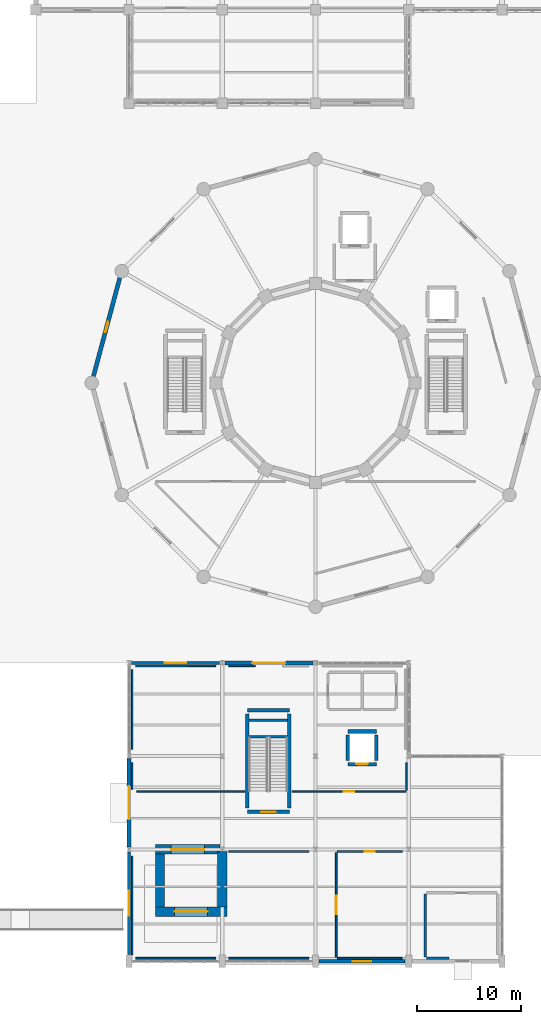
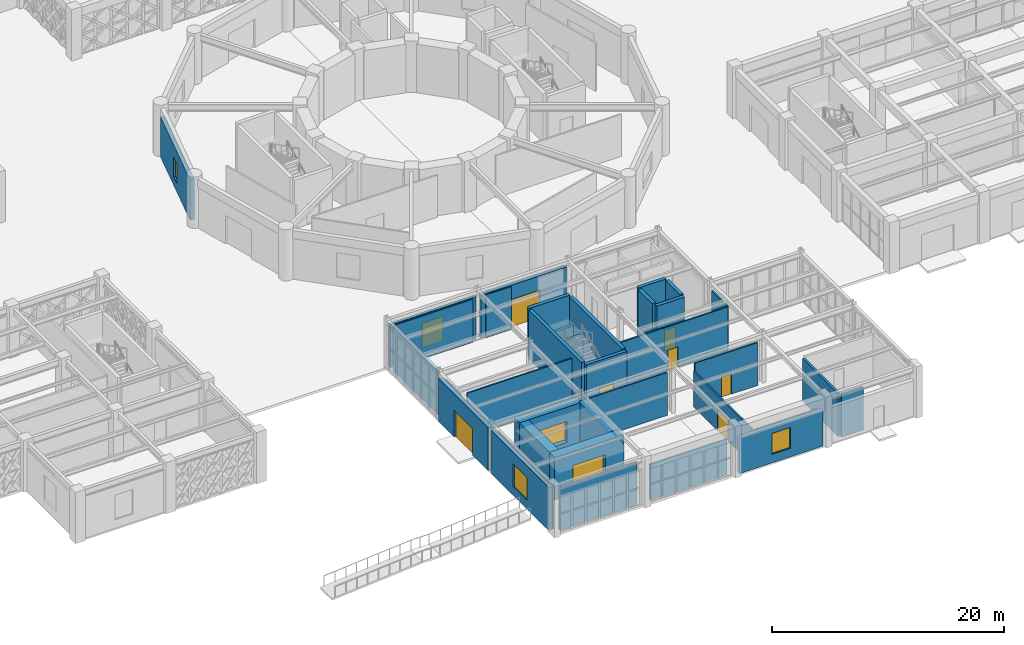
# One storey, part 115 of 140: 36 walls, 7 doors, 6 windows, 13 openings.
"""IFC4 building model written with IfcOpenShell, lengths in metres."""

from ifc_helpers import new_model, si_unit, direction, frame, frame_2d, origin, place, context, subcontext, project, spatial, rectangle, extrude, material, layer, layer_set, type_object, element, fill, save


model = new_model("IFC4")

# Units and contexts
model_context = context("Model", 3, precision=1e-05, world=origin(), true_north=direction((0.0, 1.0)))
body_context = subcontext(model_context, "Body", "Model", "MODEL_VIEW")
ifc_project = project(units=[si_unit("LENGTHUNIT", "METRE"), si_unit("AREAUNIT", "SQUARE_METRE"), si_unit("VOLUMEUNIT", "CUBIC_METRE"), si_unit("PLANEANGLEUNIT", "RADIAN"), si_unit("MASSUNIT", "GRAM", prefix="KILO")], contexts=[model_context])

# Site, building, storey
site_placement = place(None, origin())
site = spatial("IfcSite", under=ifc_project, at=site_placement, CompositionType="ELEMENT")
building_placement = place(site_placement, origin())
building = spatial("IfcBuilding", under=site, at=building_placement, Name="Haizhuo Lancet Aquarium", CompositionType="ELEMENT")
storey_placement = place(building_placement, origin())
storey = spatial("IfcBuildingStorey", under=building, at=storey_placement, Name="L00", CompositionType="ELEMENT", Elevation=0.0)

# Wall, opening, window
ifc_material_1 = material(Name="Shandong Grey Limestone Ashlar", Category="masonry")
ifc_layer_1 = layer(ifc_material_1, 0.280029296875)
ifc_layer_set_1 = layer_set([ifc_layer_1], Name="Shandong Grey Limestone Ashlar")
wall_type_1 = type_object("IfcWallType", Name="EWL-ASH-280", PredefinedType="SOLIDWALL", material=ifc_layer_set_1)
wall_1_placement = place(storey_placement, frame((-17.7548828125, -27.0, 0.0), z_axis=(0.0, 0.0, 1.0), x_axis=(1.0, 0.0, 0.0)))
wall_1 = element("IfcWall", 1, at=wall_1_placement, inside=storey, type_object=wall_type_1, Name="L00 V4 limestone facade wall 75", PredefinedType="SOLIDWALL", context=body_context, shape_type="SweptSolid", body=[
    extrude(rectangle(XDim=8.509765625, YDim=0.280029296875, at=frame_2d((4.2548828125, 0.0))), origin(), (0.0, 0.0, 1.0), 4.51708984375),
])
opening_1_placement = place(wall_1_placement, frame((3.205078125, 0.0, 0.89990234375)))
opening_1 = element("IfcOpeningElement", 2, at=opening_1_placement, cuts=wall_1, Name="Opening WN-07", PredefinedType="OPENING", context=body_context, shape_type="SweptSolid", body=[
    extrude(rectangle(XDim=2.10009765625, YDim=2.60009765625, at=frame_2d((1.050048828125, 1.300048828125))), frame((0.0, 0.14990234375, 0.0), z_axis=(0.0, -1.0, 0.0), x_axis=(1.0, 0.0, 0.0)), (0.0, 0.0, 1.0), 0.300029),
])
ifc_material_2 = material(Name="Laminated Low-E Glass", Category="glass")
window_type_1 = type_object("IfcWindowType", Name="WIN-LAN-2100x2600", PartitioningType="SINGLE_PANEL", PredefinedType="WINDOW", material=ifc_material_2)
window_1_placement = place(opening_1_placement, origin())
window_1 = element("IfcWindow", 3, at=window_1_placement, inside=storey, type_object=window_type_1, Name="L00 V4 lancet window 59", OverallHeight=2.60009765625, OverallWidth=2.10009765625, PartitioningType="SINGLE_PANEL", PredefinedType="WINDOW", context=body_context, shape_type="SweptSolid", body=[
    extrude(rectangle(XDim=2.10009765625, YDim=2.60009765625, at=frame_2d((1.050048828125, 1.300048828125))), frame((0.0, 0.030029296875, 0.0), z_axis=(0.0, -1.0, 0.0), x_axis=(1.0, 0.0, 0.0)), (0.0, 0.0, 1.0), 0.06005859375),
])
fill(opening_1, window_1)

ifc_layer_2 = layer(ifc_material_1, 0.320068359375)
ifc_layer_set_2 = layer_set([ifc_layer_2], Name="Shandong Grey Limestone Ashlar")
wall_type_2 = type_object("IfcWallType", Name="EWL-ASH-320", PredefinedType="SOLIDWALL", material=ifc_layer_set_2)
wall_2_placement = place(storey_placement, frame((-18.0, -55.155029296875, 0.0), z_axis=(0.0, 0.0, 1.0), x_axis=(0.0, 1.0, 0.0)))
wall_2 = element("IfcWall", 4, at=wall_2_placement, inside=storey, type_object=wall_type_2, Name="L00 V4 limestone facade wall 79", PredefinedType="SOLIDWALL", context=body_context, shape_type="SweptSolid", body=[
    extrude(rectangle(XDim=9.909912109375, YDim=0.320068359375, at=frame_2d((4.955078125, 0.0))), origin(), (0.0, 0.0, 1.0), 4.51708984375),
])
opening_2_placement = place(wall_2_placement, frame((3.7548828125, 0.0, 0.89990234375)))
opening_2 = element("IfcOpeningElement", 5, at=opening_2_placement, cuts=wall_2, Name="Opening WN-08", PredefinedType="OPENING", context=body_context, shape_type="SweptSolid", body=[
    extrude(rectangle(XDim=2.39990234375, YDim=2.39990234375, at=frame_2d((1.199951171875, 1.199951171875))), frame((0.0, 0.169921875, 0.0), z_axis=(0.0, -1.0, 0.0), x_axis=(1.0, 0.0, 0.0)), (0.0, 0.0, 1.0), 0.340068),
])
window_type_2 = type_object("IfcWindowType", Name="WIN-LAN-2400x2400", PartitioningType="SINGLE_PANEL", PredefinedType="WINDOW", material=ifc_material_2)
window_2_placement = place(opening_2_placement, origin())
window_2 = element("IfcWindow", 6, at=window_2_placement, inside=storey, type_object=window_type_2, Name="L00 V4 lancet window 61", OverallHeight=2.39990234375, OverallWidth=2.39990234375, PartitioningType="SINGLE_PANEL", PredefinedType="WINDOW", context=body_context, shape_type="SweptSolid", body=[
    extrude(rectangle(XDim=2.39990234375, YDim=2.39990234375, at=frame_2d((1.199951171875, 1.199951171875))), frame((0.0, 0.030029296875, 0.0), z_axis=(0.0, -1.0, 0.0), x_axis=(1.0, 0.0, 0.0)), (0.0, 0.0, 1.0), 0.06005859375),
])
fill(opening_2, window_2)

ifc_layer_3 = layer(ifc_material_1, 0.360107421875)
ifc_layer_set_3 = layer_set([ifc_layer_3], Name="Shandong Grey Limestone Ashlar")
wall_type_3 = type_object("IfcWallType", Name="EWL-ASH-360", PredefinedType="SOLIDWALL", material=ifc_layer_set_3)
wall_3_placement = place(storey_placement, frame((8.655029296875, -55.800048828125, 0.0), z_axis=(0.0, 0.0, 1.0), x_axis=(-1.0, 0.0, 0.0)))
wall_3 = element("IfcWall", 7, at=wall_3_placement, inside=storey, type_object=wall_type_3, Name="L00 V4 limestone facade wall 78", PredefinedType="SOLIDWALL", context=body_context, shape_type="SweptSolid", body=[
    extrude(rectangle(XDim=8.31005859375, YDim=0.360107421875, at=frame_2d((4.155029296875, 0.0))), origin(), (0.0, 0.0, 1.0), 3.7548828125),
])
opening_3_placement = place(wall_3_placement, frame((3.2548828125, 0.0, 0.89990234375)))
opening_3 = element("IfcOpeningElement", 8, at=opening_3_placement, cuts=wall_3, Name="Opening WN-06", PredefinedType="OPENING", context=body_context, shape_type="SweptSolid", body=[
    extrude(rectangle(XDim=1.800048828125, YDim=2.199951171875, at=frame_2d((0.89990234375, 1.10009765625))), frame((0.0, 0.18994140625, 0.0), z_axis=(0.0, -1.0, 0.0), x_axis=(1.0, 0.0, 0.0)), (0.0, 0.0, 1.0), 0.380107),
])
window_type_3 = type_object("IfcWindowType", Name="WIN-LAN-1800x2200", PartitioningType="SINGLE_PANEL", PredefinedType="WINDOW", material=ifc_material_2)
window_3_placement = place(opening_3_placement, origin())
window_3 = element("IfcWindow", 9, at=window_3_placement, inside=storey, type_object=window_type_3, Name="L00 V4 lancet window 60", OverallHeight=2.199951171875, OverallWidth=1.800048828125, PartitioningType="SINGLE_PANEL", PredefinedType="WINDOW", context=body_context, shape_type="SweptSolid", body=[
    extrude(rectangle(XDim=1.800048828125, YDim=2.199951171875, at=frame_2d((0.89990234375, 1.10009765625))), frame((0.0, 0.030029296875, 0.0), z_axis=(0.0, -1.0, 0.0), x_axis=(1.0, 0.0, 0.0)), (0.0, 0.0, 1.0), 0.06005859375),
])
fill(opening_3, window_3)

ifc_layer_4 = layer(ifc_material_1, 0.39990234375)
ifc_layer_set_4 = layer_set([ifc_layer_4], Name="Shandong Grey Limestone Ashlar")
wall_type_4 = type_object("IfcWallType", Name="EWL-ASH-400", PredefinedType="SOLIDWALL", material=ifc_layer_set_4)
wall_4_placement = place(storey_placement, frame((-21.419921875, 0.6708984375, 0.0), z_axis=(0.0, 0.0, 1.0), x_axis=(0.258787599316, 0.965934251614, 0.0)))
wall_4 = element("IfcWall", 10, at=wall_4_placement, inside=storey, type_object=wall_type_4, Name="L00 V1 limestone drum wall bay 6", PredefinedType="SOLIDWALL", context=body_context, shape_type="SweptSolid", body=[
    extrude(rectangle(XDim=9.79150390625, YDim=0.39990234375, at=frame_2d((4.895751953125, 0.0))), origin(), (0.0, 0.0, 1.0), 4.2548828125),
])
opening_4_placement = place(wall_4_placement, frame((4.37109375, 0.0, 0.89990234375)))
opening_4 = element("IfcOpeningElement", 11, at=opening_4_placement, cuts=wall_4, Name="Opening WN-12", PredefinedType="OPENING", context=body_context, shape_type="SweptSolid", body=[
    extrude(rectangle(XDim=1.050048828125, YDim=2.0, at=frame_2d((0.52490234375, 1.0))), frame((0.0, 0.2099609375, 0.0), z_axis=(0.0, -1.0, 0.0), x_axis=(1.0, 0.0, 0.0)), (0.0, 0.0, 1.0), 0.419902),
])
window_type_4 = type_object("IfcWindowType", Name="WIN-LAN-1050x2000", PartitioningType="SINGLE_PANEL", PredefinedType="WINDOW", material=ifc_material_2)
window_4_placement = place(opening_4_placement, origin())
window_4 = element("IfcWindow", 12, at=window_4_placement, inside=storey, type_object=window_type_4, Name="L00 Gothic lancet window 4", OverallHeight=2.0, OverallWidth=1.050048828125, PartitioningType="SINGLE_PANEL", PredefinedType="WINDOW", context=body_context, shape_type="SweptSolid", body=[
    extrude(rectangle(XDim=1.050048828125, YDim=2.0, at=frame_2d((0.52490234375, 1.0))), frame((0.0, 0.030029296875, 0.0), z_axis=(0.0, -1.0, 0.0), x_axis=(1.0, 0.0, 0.0)), (0.0, 0.0, 1.0), 0.06005859375),
])
fill(opening_4, window_4)

# Wall, opening, door
wall_5_placement = place(storey_placement, frame((-8.7548828125, -27.0, 0.0), z_axis=(0.0, 0.0, 1.0), x_axis=(1.0, 0.0, 0.0)))
wall_5 = element("IfcWall", 13, at=wall_5_placement, inside=storey, type_object=wall_type_4, Name="L00 V4 pointed-arch limestone entrance portal wall", PredefinedType="SOLIDWALL", context=body_context, shape_type="SweptSolid", body=[
    extrude(rectangle(XDim=8.509765625, YDim=0.39990234375, at=frame_2d((4.2548828125, 0.0))), origin(), (0.0, 0.0, 1.0), 4.51708984375),
])
opening_5_placement = place(wall_5_placement, frame((2.655029296875, 0.0, 0.0)))
opening_5 = element("IfcOpeningElement", 14, at=opening_5_placement, cuts=wall_5, Name="Opening ED-A", PredefinedType="OPENING", context=body_context, shape_type="SweptSolid", body=[
    extrude(rectangle(XDim=3.199951171875, YDim=3.0, at=frame_2d((1.60009765625, 1.5))), frame((0.0, 0.2099609375, 0.0), z_axis=(0.0, -1.0, 0.0), x_axis=(1.0, 0.0, 0.0)), (0.0, 0.0, 1.0), 0.419902),
])
ifc_material_3 = material(Name="Aluminium 6063-T6", Category="aluminium")
door_type_1 = type_object("IfcDoorType", Name="EDR-PORTAL-3200x3000", OperationType="NOTDEFINED", PredefinedType="DOOR", material=ifc_material_3)
door_1_placement = place(opening_5_placement, origin())
door_1 = element("IfcDoor", 15, at=door_1_placement, inside=storey, type_object=door_type_1, Name="Ground pedestrian entrance portal ED-15", OperationType="DOUBLE_DOOR_SINGLE_SWING", OverallHeight=3.0, OverallWidth=3.199951171875, PredefinedType="DOOR", context=body_context, shape_type="SweptSolid", body=[
    extrude(rectangle(XDim=3.199951171875, YDim=3.0, at=frame_2d((1.60009765625, 1.5))), frame((0.0, 0.02490234375, 0.0), z_axis=(0.0, -1.0, 0.0), x_axis=(1.0, 0.0, 0.0)), (0.0, 0.0, 1.0), 0.050048828125),
])
fill(opening_5, door_1)

wall_6_placement = place(storey_placement, frame((-18.0, -44.7548828125, 0.0), z_axis=(0.0, 0.0, 1.0), x_axis=(0.0, 1.0, 0.0)))
wall_6 = element("IfcWall", 16, at=wall_6_placement, inside=storey, type_object=wall_type_4, Name="L00 V4 pointed-arch limestone entrance portal wall", PredefinedType="SOLIDWALL", context=body_context, shape_type="SweptSolid", body=[
    extrude(rectangle(XDim=8.509765625, YDim=0.39990234375, at=frame_2d((4.2548828125, 0.0))), origin(), (0.0, 0.0, 1.0), 4.51708984375),
])
opening_6_placement = place(wall_6_placement, frame((2.655029296875, 0.0, 0.0)))
opening_6 = element("IfcOpeningElement", 17, at=opening_6_placement, cuts=wall_6, Name="Opening ED-B", PredefinedType="OPENING", context=body_context, shape_type="SweptSolid", body=[
    extrude(rectangle(XDim=3.199951171875, YDim=2.800048828125, at=frame_2d((1.60009765625, 1.39990234375))), frame((0.0, 0.2099609375, 0.0), z_axis=(0.0, -1.0, 0.0), x_axis=(1.0, 0.0, 0.0)), (0.0, 0.0, 1.0), 0.419902),
])
door_type_2 = type_object("IfcDoorType", Name="EDR-PORTAL-3200x2800", OperationType="NOTDEFINED", PredefinedType="DOOR", material=ifc_material_3)
door_2_placement = place(opening_6_placement, origin())
door_2 = element("IfcDoor", 18, at=door_2_placement, inside=storey, type_object=door_type_2, Name="Ground pedestrian entrance portal ED-16", OperationType="DOUBLE_DOOR_SINGLE_SWING", OverallHeight=2.800048828125, OverallWidth=3.199951171875, PredefinedType="DOOR", context=body_context, shape_type="SweptSolid", body=[
    extrude(rectangle(XDim=3.199951171875, YDim=2.800048828125, at=frame_2d((1.60009765625, 1.39990234375))), frame((0.0, 0.02490234375, 0.0), z_axis=(0.0, -1.0, 0.0), x_axis=(1.0, 0.0, 0.0)), (0.0, 0.0, 1.0), 0.050048828125),
])
fill(opening_6, door_2)

# Walls
ifc_material_4 = material(Name="Concrete C40/50", Category="concrete")
ifc_layer_5 = layer(ifc_material_4, 0.239990234375)
ifc_layer_set_5 = layer_set([ifc_layer_5], Name="Concrete C40/50")
wall_type_5 = type_object("IfcWallType", Name="IWL-FIRE-240", PredefinedType="PARTITIONING", material=ifc_layer_set_5)
wall_7_placement = place(storey_placement, frame((10.60009765625, -49.300048828125, 0.0), z_axis=(0.0, 0.0, 1.0), x_axis=(0.0, -1.0, 0.0)))
element("IfcWall", 19, at=wall_7_placement, inside=storey, type_object=wall_type_5, Name="L00 partition wall 141", PredefinedType="PARTITIONING", context=body_context, shape_type="SweptSolid", body=[
    extrude(rectangle(XDim=6.099853515625, YDim=0.239990234375, at=frame_2d((3.0498046875, 0.0))), origin(), (0.0, 0.0, 1.0), 4.51708984375),
])
wall_8_placement = place(storey_placement, frame((10.699951171875, -55.5, 0.0), z_axis=(0.0, 0.0, 1.0), x_axis=(1.0, 0.0, 0.0)))
element("IfcWall", 20, at=wall_8_placement, inside=storey, type_object=wall_type_5, Name="L00 partition wall 142", PredefinedType="PARTITIONING", context=body_context, shape_type="SweptSolid", body=[
    extrude(rectangle(XDim=2.18505859375, YDim=0.239990234375, at=frame_2d((1.092529296875, 0.0))), origin(), (0.0, 0.0, 1.0), 4.51708984375),
])
ifc_material_5 = material(Name="Gypsum Fireboard Partition")
ifc_layer_6 = layer(ifc_material_5, 0.14990234375)
ifc_layer_set_6 = layer_set([ifc_layer_6], Name="Gypsum Fireboard Partition")
wall_type_6 = type_object("IfcWallType", Name="IWL-STD-150", PredefinedType="PARTITIONING", material=ifc_layer_set_6)
wall_9_placement = place(storey_placement, frame((-17.35009765625, -55.5, 0.0), z_axis=(0.0, 0.0, 1.0), x_axis=(1.0, 0.0, 0.0)))
element("IfcWall", 21, at=wall_9_placement, inside=storey, type_object=wall_type_6, Name="L00 partition wall 134", PredefinedType="PARTITIONING", context=body_context, shape_type="SweptSolid", body=[
    extrude(rectangle(XDim=7.7001953125, YDim=0.14990234375, at=frame_2d((3.85009765625, 0.0))), origin(), (0.0, 0.0, 1.0), 4.51708984375),
])
wall_10_placement = place(storey_placement, frame((-8.35009765625, -55.5, 0.0), z_axis=(0.0, 0.0, 1.0), x_axis=(1.0, 0.0, 0.0)))
element("IfcWall", 22, at=wall_10_placement, inside=storey, type_object=wall_type_6, Name="L00 partition wall 135", PredefinedType="PARTITIONING", context=body_context, shape_type="SweptSolid", body=[
    extrude(rectangle(XDim=7.7001953125, YDim=0.14990234375, at=frame_2d((3.85009765625, 0.0))), origin(), (0.0, 0.0, 1.0), 3.7548828125),
])

# Wall, opening, door
wall_11_placement = place(storey_placement, frame((2.0, -55.39990234375, 0.0), z_axis=(0.0, 0.0, 1.0), x_axis=(0.0, 1.0, 0.0)))
wall_11 = element("IfcWall", 23, at=wall_11_placement, inside=storey, type_object=wall_type_6, Name="L00 partition wall 136", PredefinedType="PARTITIONING", context=body_context, shape_type="SweptSolid", body=[
    extrude(rectangle(XDim=10.099853515625, YDim=0.14990234375, at=frame_2d((5.0498046875, 0.0))), origin(), (0.0, 0.0, 1.0), 3.7548828125),
])
opening_7_placement = place(wall_11_placement, frame((4.14990234375, 0.0, 0.0)))
opening_7 = element("IfcOpeningElement", 24, at=opening_7_placement, cuts=wall_11, Name="Opening D-02", PredefinedType="OPENING", context=body_context, shape_type="SweptSolid", body=[
    extrude(rectangle(XDim=1.800048828125, YDim=2.300048828125, at=frame_2d((0.89990234375, 1.14990234375))), frame((0.0, 0.0849609375, 0.0), z_axis=(0.0, -1.0, 0.0), x_axis=(1.0, 0.0, 0.0)), (0.0, 0.0, 1.0), 0.169902),
])
door_type_3 = type_object("IfcDoorType", Name="IDR-GAL-1800x2300", OperationType="NOTDEFINED", PredefinedType="DOOR", material=ifc_material_3)
door_3_placement = place(opening_7_placement, origin())
door_3 = element("IfcDoor", 25, at=door_3_placement, inside=storey, type_object=door_type_3, Name="L00 Estuarine Tank Exhibit Gallery door", OperationType="DOUBLE_DOOR_SINGLE_SWING", OverallHeight=2.300048828125, OverallWidth=1.800048828125, PredefinedType="DOOR", context=body_context, shape_type="SweptSolid", body=[
    extrude(rectangle(XDim=1.800048828125, YDim=2.300048828125, at=frame_2d((0.89990234375, 1.14990234375))), frame((0.0, 0.02490234375, 0.0), z_axis=(0.0, -1.0, 0.0), x_axis=(1.0, 0.0, 0.0)), (0.0, 0.0, 1.0), 0.050048828125),
])
fill(opening_7, door_3)

# Walls
wall_12_placement = place(storey_placement, frame((-0.64990234375, -45.199951171875, 0.0), z_axis=(0.0, 0.0, 1.0), x_axis=(-1.0, 0.0, 0.0)))
element("IfcWall", 26, at=wall_12_placement, inside=storey, type_object=wall_type_6, Name="L00 partition wall 137", PredefinedType="PARTITIONING", context=body_context, shape_type="SweptSolid", body=[
    extrude(rectangle(XDim=7.7001953125, YDim=0.14990234375, at=frame_2d((3.85009765625, 0.0))), origin(), (0.0, 0.0, 1.0), 4.51708984375),
])
wall_13_placement = place(storey_placement, frame((-17.699951171875, -45.64990234375, 0.0), z_axis=(0.0, 0.0, 1.0), x_axis=(0.0, -1.0, 0.0)))
element("IfcWall", 27, at=wall_13_placement, inside=storey, type_object=wall_type_6, Name="L00 partition wall 138", PredefinedType="PARTITIONING", context=body_context, shape_type="SweptSolid", body=[
    extrude(rectangle(XDim=9.5, YDim=0.14990234375, at=frame_2d((4.75, 0.0))), origin(), (0.0, 0.0, 1.0), 4.616943359375),
])
wall_14_placement = place(storey_placement, frame((-17.699951171875, -36.639892578125, 0.0), z_axis=(0.0, 0.0, 1.0), x_axis=(0.0, -1.0, 0.0)))
element("IfcWall", 28, at=wall_14_placement, inside=storey, type_object=wall_type_6, Name="L00 partition wall 143", PredefinedType="PARTITIONING", context=body_context, shape_type="SweptSolid", body=[
    extrude(rectangle(XDim=2.545166015625, YDim=0.14990234375, at=frame_2d((1.2724609375, 0.0))), origin(), (0.0, 0.0, 1.0), 4.60498046875),
])
wall_15_placement = place(storey_placement, frame((-17.22509765625, -39.39599609375, 0.0), z_axis=(0.0, 0.0, 1.0), x_axis=(1.0, 0.0, 0.0)))
element("IfcWall", 29, at=wall_15_placement, inside=storey, type_object=wall_type_6, Name="L00 partition wall 144", PredefinedType="PARTITIONING", context=body_context, shape_type="SweptSolid", body=[
    extrude(rectangle(XDim=10.404052734375, YDim=0.14990234375, at=frame_2d((5.2021484375, 0.0))), origin(), (0.0, 0.0, 1.0), 4.60498046875),
])

# Wall, opening, door
wall_16_placement = place(storey_placement, frame((-2.25, -39.39990234375, 0.0), z_axis=(0.0, 0.0, 1.0), x_axis=(0.999999936706, 0.000355792728, 0.0)))
wall_16 = element("IfcWall", 30, at=wall_16_placement, inside=storey, type_object=wall_type_6, Name="L00 partition wall 145", PredefinedType="PARTITIONING", context=body_context, shape_type="SweptSolid", body=[
    extrude(rectangle(XDim=10.97900390625, YDim=0.14990234375, at=frame_2d((5.489501953125, 0.0))), origin(), (0.0, 0.0, 1.0), 4.60498046875),
])
opening_8_placement = place(wall_16_placement, frame((4.989990234375, 0.0, 0.0)))
opening_8 = element("IfcOpeningElement", 31, at=opening_8_placement, cuts=wall_16, Name="Opening D-06", PredefinedType="OPENING", context=body_context, shape_type="SweptSolid", body=[
    extrude(rectangle(XDim=1.0, YDim=2.14990234375, at=frame_2d((0.5, 1.074951171875))), frame((0.0, 0.0849609375, 0.0), z_axis=(0.0, -1.0, 0.0), x_axis=(1.0, 0.0, 0.0)), (0.0, 0.0, 1.0), 0.169902),
])
door_type_4 = type_object("IfcDoorType", Name="IDR-OFF-1000x2150", OperationType="NOTDEFINED", PredefinedType="DOOR", material=ifc_material_3)
door_4_placement = place(opening_8_placement, origin())
door_4 = element("IfcDoor", 32, at=door_4_placement, inside=storey, type_object=door_type_4, Name="L00 Harbour Cafe door", OperationType="SINGLE_SWING_RIGHT", OverallHeight=2.14990234375, OverallWidth=1.0, PredefinedType="DOOR", context=body_context, shape_type="SweptSolid", body=[
    extrude(rectangle(XDim=1.0, YDim=2.14990234375, at=frame_2d((0.5, 1.074951171875))), frame((0.0, 0.02490234375, 0.0), z_axis=(0.0, -1.0, 0.0), x_axis=(1.0, 0.0, 0.0)), (0.0, 0.0, 1.0), 0.050048828125),
])
fill(opening_8, door_4)

# Walls
wall_17_placement = place(storey_placement, frame((8.800048828125, -39.300048828125, 0.0), z_axis=(0.0, 0.0, 1.0), x_axis=(0.0, 1.0, 0.0)))
element("IfcWall", 33, at=wall_17_placement, inside=storey, type_object=wall_type_6, Name="L00 partition wall 146", PredefinedType="PARTITIONING", context=body_context, shape_type="SweptSolid", body=[
    extrude(rectangle(XDim=2.66015625, YDim=0.14990234375, at=frame_2d((1.330078125, 0.0))), origin(), (0.0, 0.0, 1.0), 4.60498046875),
])
wall_18_placement = place(storey_placement, frame((-5.81494140625, -27.300048828125, 0.0), z_axis=(0.0, 0.0, 1.0), x_axis=(-1.0, 0.0, 0.0)))
element("IfcWall", 34, at=wall_18_placement, inside=storey, type_object=wall_type_6, Name="L00 partition wall 150", PredefinedType="PARTITIONING", context=body_context, shape_type="SweptSolid", body=[
    extrude(rectangle(XDim=2.53515625, YDim=0.14990234375, at=frame_2d((1.267578125, 0.0))), origin(), (0.0, 0.0, 1.0), 4.51708984375),
])
wall_19_placement = place(storey_placement, frame((-9.64990234375, -27.300048828125, 0.0), z_axis=(0.0, 0.0, 1.0), x_axis=(-0.999999871661, -0.00050663367, 0.0)))
element("IfcWall", 35, at=wall_19_placement, inside=storey, type_object=wall_type_6, Name="L00 partition wall 151", PredefinedType="PARTITIONING", context=body_context, shape_type="SweptSolid", body=[
    extrude(rectangle(XDim=7.710205078125, YDim=0.14990234375, at=frame_2d((3.85498046875, 0.0))), origin(), (0.0, 0.0, 1.0), 4.51708984375),
])
wall_20_placement = place(storey_placement, frame((-17.699951171875, -27.64990234375, 0.0), z_axis=(0.0, 0.0, 1.0), x_axis=(0.0, -1.0, 0.0)))
element("IfcWall", 36, at=wall_20_placement, inside=storey, type_object=wall_type_6, Name="L00 partition wall 152", PredefinedType="PARTITIONING", context=body_context, shape_type="SweptSolid", body=[
    extrude(rectangle(XDim=7.7001953125, YDim=0.14990234375, at=frame_2d((3.85009765625, 0.0))), origin(), (0.0, 0.0, 1.0), 4.616943359375),
])

# Wall, opening, door
wall_21_placement = place(storey_placement, frame((8.360107421875, -45.199951171875, 0.0), z_axis=(0.0, 0.0, 1.0), x_axis=(-1.0, 0.0, 0.0)))
wall_21 = element("IfcWall", 37, at=wall_21_placement, inside=storey, type_object=wall_type_6, Name="L00 partition wall 153", PredefinedType="PARTITIONING", context=body_context, shape_type="SweptSolid", body=[
    extrude(rectangle(XDim=6.260009765625, YDim=0.14990234375, at=frame_2d((3.1298828125, 0.0))), origin(), (0.0, 0.0, 1.0), 4.51708984375),
])
opening_9_placement = place(wall_21_placement, frame((2.6298828125, 0.0, 0.0)))
opening_9 = element("IfcOpeningElement", 38, at=opening_9_placement, cuts=wall_21, Name="Opening D-06", PredefinedType="OPENING", context=body_context, shape_type="SweptSolid", body=[
    extrude(rectangle(XDim=1.0, YDim=2.14990234375, at=frame_2d((0.5, 1.074951171875))), frame((0.0, 0.0849609375, 0.0), z_axis=(0.0, -1.0, 0.0), x_axis=(1.0, 0.0, 0.0)), (0.0, 0.0, 1.0), 0.169902),
])
door_5_placement = place(opening_9_placement, origin())
door_5 = element("IfcDoor", 39, at=door_5_placement, inside=storey, type_object=door_type_4, Name="L00 Aquarium Shop door", OperationType="SINGLE_SWING_LEFT", OverallHeight=2.14990234375, OverallWidth=1.0, PredefinedType="DOOR", context=body_context, shape_type="SweptSolid", body=[
    extrude(rectangle(XDim=1.0, YDim=2.14990234375, at=frame_2d((0.5, 1.074951171875))), frame((0.0, 0.02490234375, 0.0), z_axis=(0.0, -1.0, 0.0), x_axis=(1.0, 0.0, 0.0)), (0.0, 0.0, 1.0), 0.050048828125),
])
fill(opening_9, door_5)

# Walls
wall_22_placement = place(storey_placement, frame((2.10009765625, -55.5, 0.0), z_axis=(0.0, 0.0, 1.0), x_axis=(1.0, 0.0, 0.0)))
element("IfcWall", 40, at=wall_22_placement, inside=storey, type_object=wall_type_6, Name="L00 partition wall 154", PredefinedType="PARTITIONING", context=body_context, shape_type="SweptSolid", body=[
    extrude(rectangle(XDim=6.25, YDim=0.14990234375, at=frame_2d((3.125, 0.0))), origin(), (0.0, 0.0, 1.0), 3.7548828125),
])
ifc_layer_7 = layer(ifc_material_4, 0.35009765625)
ifc_layer_set_7 = layer_set([ifc_layer_7], Name="Concrete C40/50")
wall_type_7 = type_object("IfcWallType", Name="WL-CORE-350", PredefinedType="SHEAR", material=ifc_layer_set_7)
for number, where, z_axis, x_axis, name in (
    (41, (-6.39990234375, -34.125, 0.0), (0.0, 0.0, 1.0), (1.0, 0.0, 0.0), "L00 ST-06 landing support wall"),
    (42, (-6.39990234375, -32.52490234375, 0.0), (0.0, 0.0, 1.0), (1.0, 0.0, 0.0), "L00 ST-06 far landing support wall"),
):
    element("IfcWall", number, at=place(storey_placement, frame(where, z_axis=z_axis, x_axis=x_axis)), inside=storey, type_object=wall_type_7, Name=name, PredefinedType="SHEAR", context=body_context, shape_type="SweptSolid", body=[
        extrude(rectangle(XDim=3.699951171875, YDim=0.25, at=frame_2d((1.85009765625, 0.0))), origin(), (0.0, 0.0, 1.0), 2.5),
    ])

# Wall, opening, door
wall_23_placement = place(storey_placement, frame((-2.52490234375, -41.375, 0.0), z_axis=(0.0, 0.0, 1.0), x_axis=(-1.0, 0.0, 0.0)))
wall_23 = element("IfcWall", 43, at=wall_23_placement, inside=storey, type_object=wall_type_7, Name="L00 ST-06 core shear wall S", PredefinedType="SHEAR", context=body_context, shape_type="SweptSolid", body=[
    extrude(rectangle(XDim=4.050048828125, YDim=0.35009765625, at=frame_2d((2.02490234375, 0.0))), origin(), (0.0, 0.0, 1.0), 5.1201171875),
])
opening_10_placement = place(wall_23_placement, frame((1.324951171875, 0.0, 0.0)))
opening_10 = element("IfcOpeningElement", 44, at=opening_10_placement, cuts=wall_23, Name="Opening FD-01", PredefinedType="OPENING", context=body_context, shape_type="SweptSolid", body=[
    extrude(rectangle(XDim=1.39990234375, YDim=2.199951171875, at=frame_2d((0.699951171875, 1.10009765625))), frame((0.0, 0.18505859375, 0.0), z_axis=(0.0, -1.0, 0.0), x_axis=(1.0, 0.0, 0.0)), (0.0, 0.0, 1.0), 0.370098),
])
ifc_material_6 = material(Name="Steel S355", Category="steel")
door_type_5 = type_object("IfcDoorType", Name="IDR-STAIR-1400x2200", OperationType="NOTDEFINED", PredefinedType="DOOR", material=ifc_material_6)
door_6_placement = place(opening_10_placement, origin())
door_6 = element("IfcDoor", 45, at=door_6_placement, inside=storey, type_object=door_type_5, Name="L00 ST-06 stairwell fire door", OperationType="SINGLE_SWING_LEFT", OverallHeight=2.199951171875, OverallWidth=1.39990234375, PredefinedType="DOOR", context=body_context, shape_type="SweptSolid", body=[
    extrude(rectangle(XDim=1.39990234375, YDim=2.199951171875, at=frame_2d((0.699951171875, 1.10009765625))), frame((0.0, 0.02490234375, 0.0), z_axis=(0.0, -1.0, 0.0), x_axis=(1.0, 0.0, 0.0)), (0.0, 0.0, 1.0), 0.050048828125),
])
fill(opening_10, door_6)

# Walls
wall_24_placement = place(storey_placement, frame((-6.574951171875, -31.574951171875, 0.0), z_axis=(0.0, 0.0, 1.0), x_axis=(1.0, 0.0, 0.0)))
element("IfcWall", 46, at=wall_24_placement, inside=storey, type_object=wall_type_7, Name="L00 ST-06 core shear wall N", PredefinedType="SHEAR", context=body_context, shape_type="SweptSolid", body=[
    extrude(rectangle(XDim=4.050048828125, YDim=0.35009765625, at=frame_2d((2.02490234375, 0.0))), origin(), (0.0, 0.0, 1.0), 5.1201171875),
])
for number, where, z_axis, x_axis, name in (
    (47, (-6.574951171875, -41.02490234375, 0.0), (0.0, 0.0, 1.0), (0.0, 1.0, 0.0), "L00 ST-06 core shear wall W"),
    (48, (-2.52490234375, -41.02490234375, 0.0), (0.0, 0.0, 1.0), (0.0, 1.0, 0.0), "L00 ST-06 core shear wall E"),
):
    element("IfcWall", number, at=place(storey_placement, frame(where, z_axis=z_axis, x_axis=x_axis)), inside=storey, type_object=wall_type_7, Name=name, PredefinedType="SHEAR", context=body_context, shape_type="SweptSolid", body=[
        extrude(rectangle(XDim=9.099853515625, YDim=0.35009765625, at=frame_2d((4.5498046875, 0.0))), origin(), (0.0, 0.0, 1.0), 5.1201171875),
    ])

# Wall, opening, door
wall_25_placement = place(storey_placement, frame((3.125, -36.77490234375, 0.0), z_axis=(0.0, 0.0, 1.0), x_axis=(1.0, 0.0, 0.0)))
wall_25 = element("IfcWall", 49, at=wall_25_placement, inside=storey, type_object=wall_type_7, Name="L00 LP-03 lift shaft wall -Y", PredefinedType="SHEAR", context=body_context, shape_type="SweptSolid", body=[
    extrude(rectangle(XDim=2.75, YDim=0.35009765625, at=frame_2d((1.375, 0.0))), origin(), (0.0, 0.0, 1.0), 5.1201171875),
])
opening_11_placement = place(wall_25_placement, frame((0.824951171875, 0.0, 0.0)))
opening_11 = element("IfcOpeningElement", 50, at=opening_11_placement, cuts=wall_25, Name="Opening LD-01", PredefinedType="OPENING", context=body_context, shape_type="SweptSolid", body=[
    extrude(rectangle(XDim=1.10009765625, YDim=2.199951171875, at=frame_2d((0.550048828125, 1.10009765625))), frame((0.0, 0.18505859375, 0.0), z_axis=(0.0, -1.0, 0.0), x_axis=(1.0, 0.0, 0.0)), (0.0, 0.0, 1.0), 0.370098),
])
door_type_6 = type_object("IfcDoorType", Name="IDR-LIFT-1100x2200", OperationType="NOTDEFINED", PredefinedType="DOOR", material=ifc_material_6)
door_7_placement = place(opening_11_placement, origin())
door_7 = element("IfcDoor", 51, at=door_7_placement, inside=storey, type_object=door_type_6, Name="L00 LP-03 sliding lift landing door", OperationType="DOUBLE_DOOR_SLIDING", OverallHeight=2.199951171875, OverallWidth=1.10009765625, PredefinedType="DOOR", context=body_context, shape_type="SweptSolid", body=[
    extrude(rectangle(XDim=1.10009765625, YDim=2.199951171875, at=frame_2d((0.550048828125, 1.10009765625))), frame((0.0, 0.02490234375, 0.0), z_axis=(0.0, -1.0, 0.0), x_axis=(1.0, 0.0, 0.0)), (0.0, 0.0, 1.0), 0.050048828125),
])
fill(opening_11, door_7)

# Walls
wall_26_placement = place(storey_placement, frame((5.875, -33.625, 0.0), z_axis=(0.0, 0.0, 1.0), x_axis=(-1.0, 0.0, 0.0)))
element("IfcWall", 52, at=wall_26_placement, inside=storey, type_object=wall_type_7, Name="L00 LP-03 lift shaft wall +Y", PredefinedType="SHEAR", context=body_context, shape_type="SweptSolid", body=[
    extrude(rectangle(XDim=2.75, YDim=0.35009765625, at=frame_2d((1.375, 0.0))), origin(), (0.0, 0.0, 1.0), 5.1201171875),
])
for number, where, z_axis, x_axis, name in (
    (53, (3.125, -36.425048828125, 0.0), (0.0, 0.0, 1.0), (0.0, 1.0, 0.0), "L00 LP-03 lift shaft wall -X"),
    (54, (5.875, -36.425048828125, 0.0), (0.0, 0.0, 1.0), (0.0, 1.0, 0.0), "L00 LP-03 lift shaft wall +X"),
):
    element("IfcWall", number, at=place(storey_placement, frame(where, z_axis=z_axis, x_axis=x_axis)), inside=storey, type_object=wall_type_7, Name=name, PredefinedType="SHEAR", context=body_context, shape_type="SweptSolid", body=[
        extrude(rectangle(XDim=2.449951171875, YDim=0.35009765625, at=frame_2d((1.22509765625, 0.0))), origin(), (0.0, 0.0, 1.0), 5.1201171875),
    ])

# Wall, opening, window
ifc_material_7 = material(Name="Concrete C45/55", Category="concrete")
ifc_layer_8 = layer(ifc_material_7, 0.89990234375)
ifc_layer_set_8 = layer_set([ifc_layer_8], Name="Concrete C45/55")
wall_type_8 = type_object("IfcWallType", Name="WL-TANK-900", PredefinedType="SHEAR", material=ifc_layer_set_8)
wall_27_placement = place(storey_placement, frame((-15.449951171875, -51.0, 0.0), z_axis=(0.0, 0.0, 1.0), x_axis=(1.0, 0.0, 0.0)))
wall_27 = element("IfcWall", 55, at=wall_27_placement, inside=storey, type_object=wall_type_8, Name="L00 Estuarine Tank wall 1", PredefinedType="SHEAR", context=body_context, shape_type="SweptSolid", body=[
    extrude(rectangle(XDim=6.89990234375, YDim=0.89990234375, at=frame_2d((3.449951171875, 0.0))), origin(), (0.0, 0.0, 1.0), 4.5),
])
opening_12_placement = place(wall_27_placement, frame((1.85009765625, 0.0, 0.800048828125)))
opening_12 = element("IfcOpeningElement", 56, at=opening_12_placement, cuts=wall_27, Name="Opening AW-07", PredefinedType="OPENING", context=body_context, shape_type="SweptSolid", body=[
    extrude(rectangle(XDim=3.199951171875, YDim=2.199951171875, at=frame_2d((1.60009765625, 1.10009765625))), frame((0.0, 0.4599609375, 0.0), z_axis=(0.0, -1.0, 0.0), x_axis=(1.0, 0.0, 0.0)), (0.0, 0.0, 1.0), 0.919902),
])
ifc_material_8 = material(Name="Monolithic Cast PMMA")
window_type_5 = type_object("IfcWindowType", Name="WIN-PMMA-3200x2200", PartitioningType="SINGLE_PANEL", PredefinedType="WINDOW", material=ifc_material_8)
window_5_placement = place(opening_12_placement, origin())
window_5 = element("IfcWindow", 57, at=window_5_placement, inside=storey, type_object=window_type_5, Name="L00 Estuarine Tank PMMA viewing window 1", OverallHeight=2.199951171875, OverallWidth=3.199951171875, PartitioningType="SINGLE_PANEL", PredefinedType="WINDOW", context=body_context, shape_type="SweptSolid", body=[
    extrude(rectangle(XDim=3.199951171875, YDim=2.199951171875, at=frame_2d((1.60009765625, 1.10009765625))), frame((0.0, 0.030029296875, 0.0), z_axis=(0.0, -1.0, 0.0), x_axis=(1.0, 0.0, 0.0)), (0.0, 0.0, 1.0), 0.06005859375),
])
fill(opening_12, window_5)

# Wall
wall_28_placement = place(storey_placement, frame((-9.0, -50.550048828125, 0.0), z_axis=(0.0, 0.0, 1.0), x_axis=(0.0, 1.0, 0.0)))
element("IfcWall", 58, at=wall_28_placement, inside=storey, type_object=wall_type_8, Name="L00 Estuarine Tank wall 2", PredefinedType="SHEAR", context=body_context, shape_type="SweptSolid", body=[
    extrude(rectangle(XDim=5.35009765625, YDim=0.89990234375, at=frame_2d((2.675048828125, 0.0))), origin(), (0.0, 0.0, 1.0), 4.5),
])

# Wall, opening, window
wall_29_placement = place(storey_placement, frame((-9.199951171875, -45.0, 0.0), z_axis=(0.0, 0.0, 1.0), x_axis=(-1.0, 0.0, 0.0)))
wall_29 = element("IfcWall", 59, at=wall_29_placement, inside=storey, type_object=wall_type_8, Name="L00 Estuarine Tank wall 3", PredefinedType="SHEAR", context=body_context, shape_type="SweptSolid", body=[
    extrude(rectangle(XDim=6.25, YDim=0.89990234375, at=frame_2d((3.125, 0.0))), origin(), (0.0, 0.0, 1.0), 4.5),
])
opening_13_placement = place(wall_29_placement, frame((1.52490234375, 0.0, 0.800048828125)))
opening_13 = element("IfcOpeningElement", 60, at=opening_13_placement, cuts=wall_29, Name="Opening AW-07", PredefinedType="OPENING", context=body_context, shape_type="SweptSolid", body=[
    extrude(rectangle(XDim=3.199951171875, YDim=2.199951171875, at=frame_2d((1.60009765625, 1.10009765625))), frame((0.0, 0.4599609375, 0.0), z_axis=(0.0, -1.0, 0.0), x_axis=(1.0, 0.0, 0.0)), (0.0, 0.0, 1.0), 0.919902),
])
window_6_placement = place(opening_13_placement, origin())
window_6 = element("IfcWindow", 61, at=window_6_placement, inside=storey, type_object=window_type_5, Name="L00 Estuarine Tank PMMA viewing window 2", OverallHeight=2.199951171875, OverallWidth=3.199951171875, PartitioningType="SINGLE_PANEL", PredefinedType="WINDOW", context=body_context, shape_type="SweptSolid", body=[
    extrude(rectangle(XDim=3.199951171875, YDim=2.199951171875, at=frame_2d((1.60009765625, 1.10009765625))), frame((0.0, 0.030029296875, 0.0), z_axis=(0.0, -1.0, 0.0), x_axis=(1.0, 0.0, 0.0)), (0.0, 0.0, 1.0), 0.06005859375),
])
fill(opening_13, window_6)

# Wall
wall_30_placement = place(storey_placement, frame((-15.0, -45.449951171875, 0.0), z_axis=(0.0, 0.0, 1.0), x_axis=(0.0, -1.0, 0.0)))
element("IfcWall", 62, at=wall_30_placement, inside=storey, type_object=wall_type_8, Name="L00 Estuarine Tank wall 4", PredefinedType="SHEAR", context=body_context, shape_type="SweptSolid", body=[
    extrude(rectangle(XDim=5.10009765625, YDim=0.89990234375, at=frame_2d((2.550048828125, 0.0))), origin(), (0.0, 0.0, 1.0), 4.5),
])

save(model, "model.ifc")
